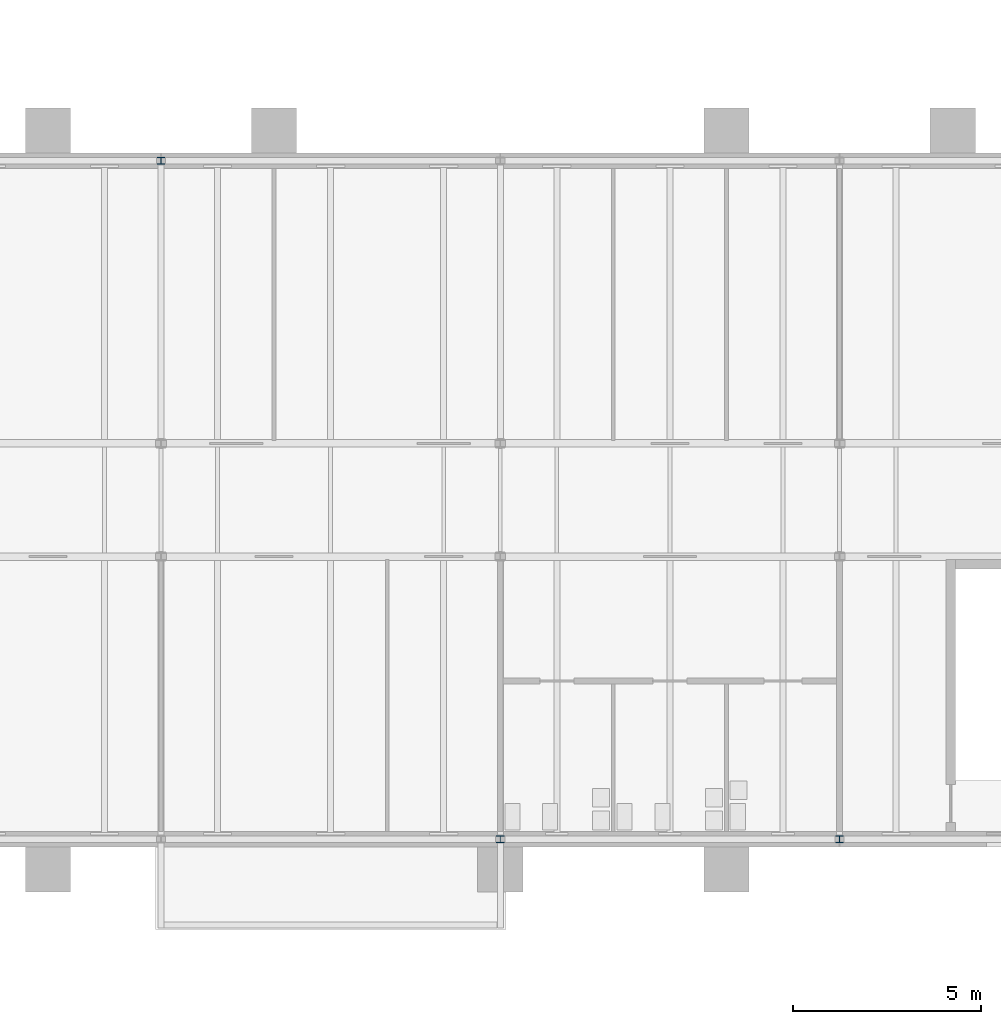
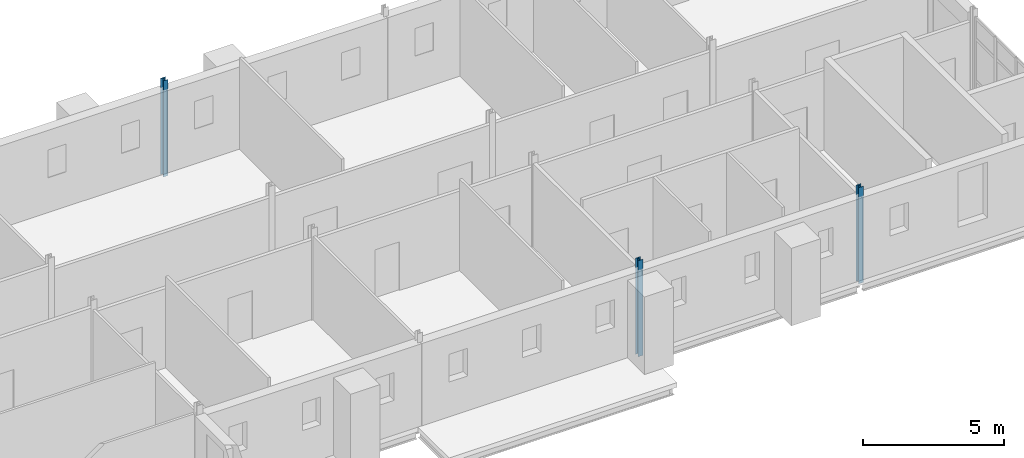
# One storey, part 8 of 121: 3 columns.
"""IFC4 building model written with IfcOpenShell, lengths in metres."""

from ifc_helpers import new_model, si_unit, direction, frame, origin, origin_2d, place, context, subcontext, project, spatial, i_section, extrude, material, material_profile, profile_set, type_object, element, save


model = new_model("IFC4")

# Units and contexts
model_context = context("Model", 3, precision=1e-05, world=origin(), true_north=direction((0.0, 1.0)))
body_context = subcontext(model_context, "Body", "Model", "MODEL_VIEW")
ifc_project = project(units=[si_unit("LENGTHUNIT", "METRE"), si_unit("AREAUNIT", "SQUARE_METRE"), si_unit("VOLUMEUNIT", "CUBIC_METRE"), si_unit("PLANEANGLEUNIT", "RADIAN"), si_unit("MASSUNIT", "GRAM", prefix="KILO")], contexts=[model_context])

# Site, building, storey
site_placement = place(None, origin())
site = spatial("IfcSite", under=ifc_project, at=site_placement, CompositionType="ELEMENT")
building_placement = place(site_placement, origin())
building = spatial("IfcBuilding", under=site, at=building_placement, Name="Golden Quay Civic Hall", CompositionType="ELEMENT")
storey_placement = place(building_placement, frame((0.0, 0.0, 18.60009765625)))
storey = spatial("IfcBuildingStorey", under=building, at=storey_placement, Name="L04", CompositionType="ELEMENT", Elevation=18.60009765625)

# Columns
ifc_material = material(Name="Steel S355", Category="steel")
ifc_material_profile = material_profile(ifc_material, i_section(OverallWidth=0.199951171875, OverallDepth=0.18994140625, WebThickness=0.006591796875, FlangeThickness=0.010009765625, FilletRadius=0.01806640625, at=origin_2d()), Name="HEA 200")
ifc_profile_set = profile_set([ifc_material_profile], Name="Steel S355")
column_type = type_object("IfcColumnType", Name="Steel column HEA 200", PredefinedType="COLUMN", material=ifc_profile_set)
for number, where, z_axis, x_axis, name in (
    (1, (27.0, 81.0, -0.2001953125), (0.0, 0.0, 1.0), (1.0, 0.0, 0.0), "Column 27/81 L04"),
    (2, (36.0, 63.0, -0.2001953125), (0.0, 0.0, 1.0), (1.0, 0.0, 0.0), "Column 36/63 L04"),
    (3, (45.0, 63.0, -0.2001953125), (0.0, 0.0, 1.0), (1.0, 0.0, 0.0), "Column 45/63 L04"),
):
    element("IfcColumn", number, at=place(storey_placement, frame(where, z_axis=z_axis, x_axis=x_axis)), inside=storey, type_object=column_type, Name=name, PredefinedType="COLUMN", context=body_context, shape_type="SweptSolid", body=[
        extrude(i_section(OverallWidth=0.199951171875, OverallDepth=0.18994140625, WebThickness=0.006591796875, FlangeThickness=0.010009765625, FilletRadius=0.01806640625, at=origin_2d()), origin(), (0.0, 0.0, 1.0), 4.150146484375),
    ])

save(model, "model.ifc")
